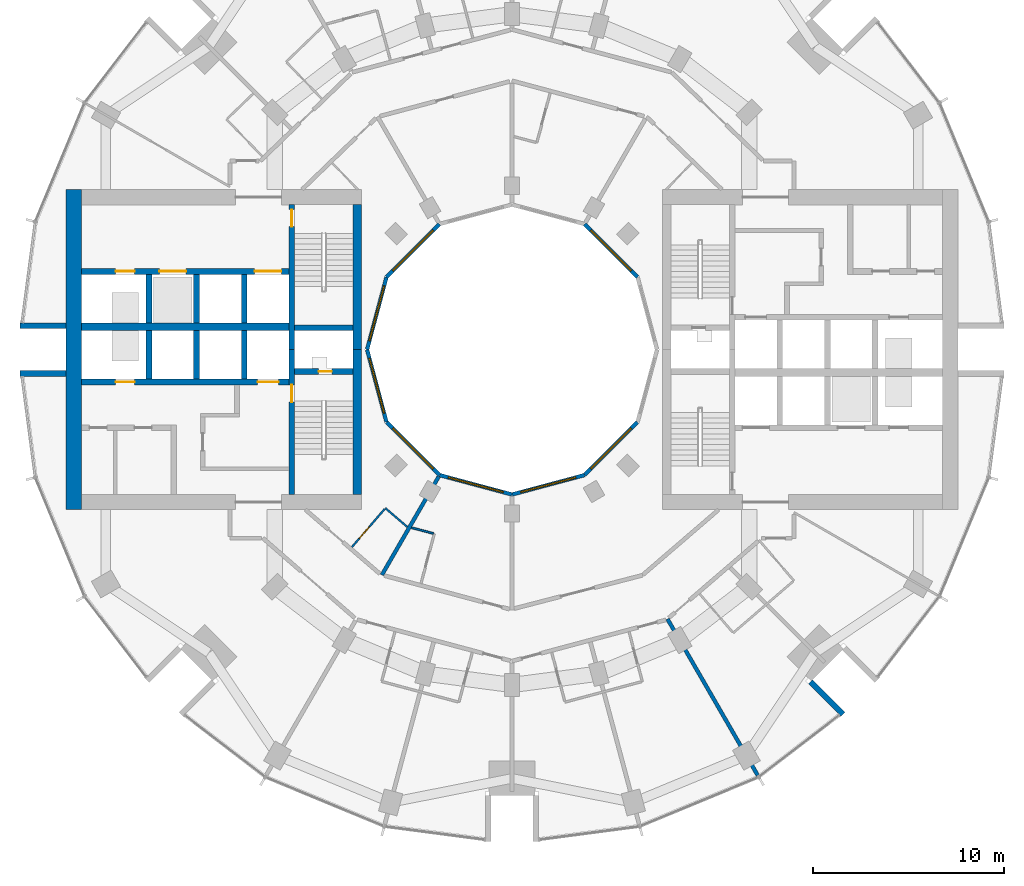
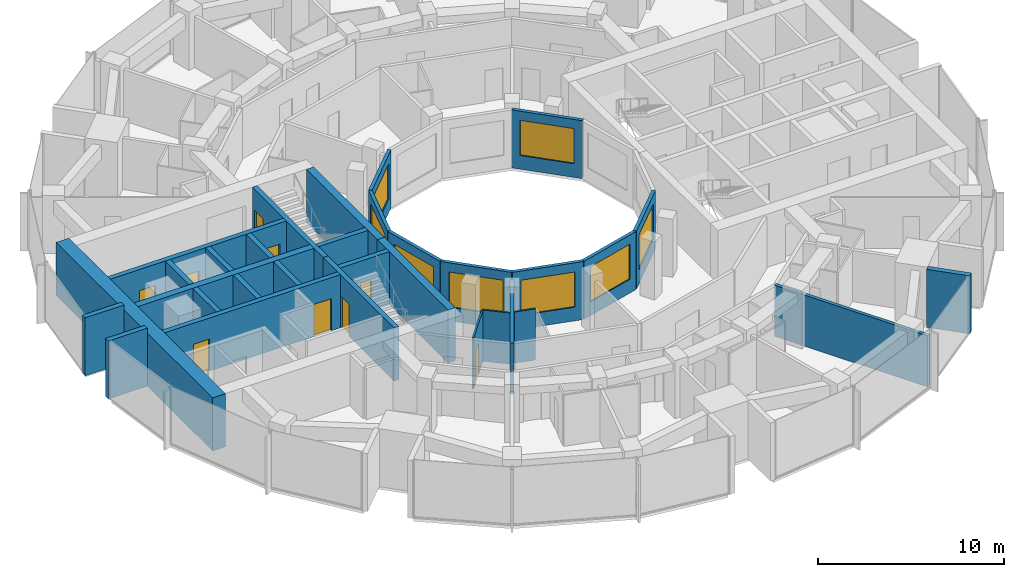
# One storey, part 9 of 15: 32 walls, 9 doors, 8 windows, 17 openings.
"""IFC4 building model written with IfcOpenShell, lengths in metres."""

from ifc_helpers import new_model, si_unit, direction, frame, frame_2d, origin, place, context, subcontext, project, spatial, rectangle, extrude, material, layer, layer_set, type_object, element, fill, save


model = new_model("IFC4")

# Units and contexts
model_context = context("Model", 3, precision=1e-05, world=origin(), true_north=direction((0.0, 1.0)))
body_context = subcontext(model_context, "Body", "Model", "MODEL_VIEW")
ifc_project = project(units=[si_unit("LENGTHUNIT", "METRE"), si_unit("AREAUNIT", "SQUARE_METRE"), si_unit("VOLUMEUNIT", "CUBIC_METRE"), si_unit("PLANEANGLEUNIT", "RADIAN"), si_unit("MASSUNIT", "GRAM", prefix="KILO")], contexts=[model_context])

# Site, building, storey
site_placement = place(None, origin())
site = spatial("IfcSite", under=ifc_project, at=site_placement, CompositionType="ELEMENT")
building_placement = place(site_placement, origin())
building = spatial("IfcBuilding", under=site, at=building_placement, Name="Torre Brocal", CompositionType="ELEMENT")
storey_placement = place(building_placement, frame((0.0, 0.0, 63.0)))
storey = spatial("IfcBuildingStorey", under=building, at=storey_placement, Name="L14", CompositionType="ELEMENT", Elevation=63.0)

# Wall, opening, door
ifc_material_1 = material(Name="Concrete C80", Category="concrete")
ifc_layer_1 = layer(ifc_material_1, 0.300048828125)
ifc_layer_set_1 = layer_set([ifc_layer_1], Name="Concrete C80")
wall_type_1 = type_object("IfcWallType", Name="CORE WALL 300 C80", PredefinedType="SHEAR", material=ifc_layer_set_1)
wall_1_placement = place(storey_placement, frame((68.449951171875, 75.0, 0.0), z_axis=(0.0, 0.0, 1.0), x_axis=(0.0, -1.0, 0.0)))
wall_1 = element("IfcWall", 1, at=wall_1_placement, inside=storey, type_object=wall_type_1, Name="Wall CW300-80", PredefinedType="SHEAR", context=body_context, shape_type="SweptSolid", body=[
    extrude(rectangle(XDim=7.60009765625, YDim=0.300048828125, at=frame_2d((3.800048828125, 0.0))), origin(), (0.0, 0.0, 1.0), 3.47998046875),
])
opening_1_placement = place(wall_1_placement, frame((1.85009765625, 0.0, 0.0)))
opening_1 = element("IfcOpeningElement", 2, at=opening_1_placement, cuts=wall_1, Name="Opening W-D02", PredefinedType="OPENING", context=body_context, shape_type="SweptSolid", body=[
    extrude(rectangle(XDim=0.89990234375, YDim=2.10009765625, at=frame_2d((0.449951171875, 1.050048828125))), frame((0.0, 0.159912109375, 0.0), z_axis=(0.0, -1.0, 0.0), x_axis=(1.0, 0.0, 0.0)), (0.0, 0.0, 1.0), 0.320068359375),
])
ifc_material_2 = material(Name="Steel A653", Category="steel")
door_type_1 = type_object("IfcDoorType", Name="STAIR DOOR FD120 900X2100", OperationType="SINGLE_SWING_RIGHT", PredefinedType="DOOR", material=ifc_material_2)
door_1_placement = place(opening_1_placement, origin())
door_1 = element("IfcDoor", 3, at=door_1_placement, inside=storey, type_object=door_type_1, Name="Door W-D02", OperationType="SINGLE_SWING_LEFT", OverallHeight=2.10009765625, OverallWidth=0.89990234375, PredefinedType="DOOR", context=body_context, shape_type="SweptSolid", body=[
    extrude(rectangle(XDim=0.89990234375, YDim=2.10009765625, at=frame_2d((0.449951171875, 1.050048828125))), frame((0.0, 0.02490234375, 0.0), z_axis=(0.0, -1.0, 0.0), x_axis=(1.0, 0.0, 0.0)), (0.0, 0.0, 1.0), 0.050048828125),
])
fill(opening_1, door_1)

wall_2_placement = place(storey_placement, frame((68.449951171875, 82.60009765625, 0.0), z_axis=(0.0, 0.0, 1.0), x_axis=(0.0, -1.0, 0.0)))
wall_2 = element("IfcWall", 4, at=wall_2_placement, inside=storey, type_object=wall_type_1, Name="Wall CW300-80", PredefinedType="SHEAR", context=body_context, shape_type="SweptSolid", body=[
    extrude(rectangle(XDim=7.60009765625, YDim=0.300048828125, at=frame_2d((3.800048828125, 0.0))), origin(), (0.0, 0.0, 1.0), 3.47998046875),
])
opening_2_placement = place(wall_2_placement, frame((0.25, 0.0, 0.0)))
opening_2 = element("IfcOpeningElement", 5, at=opening_2_placement, cuts=wall_2, Name="Opening W-D03", PredefinedType="OPENING", context=body_context, shape_type="SweptSolid", body=[
    extrude(rectangle(XDim=0.89990234375, YDim=2.10009765625, at=frame_2d((0.449951171875, 1.050048828125))), frame((0.0, 0.159912109375, 0.0), z_axis=(0.0, -1.0, 0.0), x_axis=(1.0, 0.0, 0.0)), (0.0, 0.0, 1.0), 0.320068359375),
])
door_2_placement = place(opening_2_placement, origin())
door_2 = element("IfcDoor", 6, at=door_2_placement, inside=storey, type_object=door_type_1, Name="Door W-D03", OperationType="SINGLE_SWING_LEFT", OverallHeight=2.10009765625, OverallWidth=0.89990234375, PredefinedType="DOOR", context=body_context, shape_type="SweptSolid", body=[
    extrude(rectangle(XDim=0.89990234375, YDim=2.10009765625, at=frame_2d((0.449951171875, 1.050048828125))), frame((0.0, 0.02490234375, 0.0), z_axis=(0.0, -1.0, 0.0), x_axis=(1.0, 0.0, 0.0)), (0.0, 0.0, 1.0), 0.050048828125),
])
fill(opening_2, door_2)

wall_3_placement = place(storey_placement, frame((71.64990234375, 73.85009765625, 0.0), z_axis=(0.0, 0.0, 1.0), x_axis=(-1.0, 0.0, 0.0)))
wall_3 = element("IfcWall", 7, at=wall_3_placement, inside=storey, type_object=wall_type_1, Name="Wall CW300-80", PredefinedType="SHEAR", context=body_context, shape_type="SweptSolid", body=[
    extrude(rectangle(XDim=3.0498046875, YDim=0.300048828125, at=frame_2d((1.52490234375, 0.0))), origin(), (0.0, 0.0, 1.0), 3.47998046875),
])
opening_3_placement = place(wall_3_placement, frame((1.10009765625, 0.0, 0.0)))
opening_3 = element("IfcOpeningElement", 8, at=opening_3_placement, cuts=wall_3, Name="Opening W-D01", PredefinedType="OPENING", context=body_context, shape_type="SweptSolid", body=[
    extrude(rectangle(XDim=0.699951171875, YDim=2.0, at=frame_2d((0.35009765625, 1.0))), frame((0.0, 0.159912109375, 0.0), z_axis=(0.0, -1.0, 0.0), x_axis=(1.0, 0.0, 0.0)), (0.0, 0.0, 1.0), 0.320068359375),
])
ifc_material_3 = material(Name="Steel A653", Category="steel")
door_type_2 = type_object("IfcDoorType", Name="RISER DOOR FD120 700X2000", OperationType="SINGLE_SWING_LEFT", PredefinedType="DOOR", material=ifc_material_3)
door_3_placement = place(opening_3_placement, frame((0.699951171875, 0.0, 0.0), z_axis=(0.0, 0.0, 1.0), x_axis=(-1.0, 0.0, 0.0)))
door_3 = element("IfcDoor", 9, at=door_3_placement, inside=storey, type_object=door_type_2, Name="Door W-D01", OperationType="SINGLE_SWING_RIGHT", OverallHeight=2.0, OverallWidth=0.699951171875, PredefinedType="DOOR", context=body_context, shape_type="SweptSolid", body=[
    extrude(rectangle(XDim=0.699951171875, YDim=2.0, at=frame_2d((0.35009765625, 1.0))), frame((0.0, 0.02490234375, 0.0), z_axis=(0.0, -1.0, 0.0), x_axis=(1.0, 0.0, 0.0)), (0.0, 0.0, 1.0), 0.050048828125),
])
fill(opening_3, door_3)

# Wall
wall_4_placement = place(storey_placement, frame((71.64990234375, 76.14990234375, 0.0), z_axis=(0.0, 0.0, 1.0), x_axis=(-1.0, 0.0, 0.0)))
element("IfcWall", 10, at=wall_4_placement, inside=storey, type_object=wall_type_1, Name="Wall CW300-80", PredefinedType="SHEAR", context=body_context, shape_type="SweptSolid", body=[
    extrude(rectangle(XDim=3.0498046875, YDim=0.300048828125, at=frame_2d((1.52490234375, 0.0))), origin(), (0.0, 0.0, 1.0), 3.47998046875),
])

# Wall, openings, doors
wall_5_placement = place(storey_placement, frame((68.300048828125, 73.300048828125, 0.0), z_axis=(0.0, 0.0, 1.0), x_axis=(-1.0, 0.0, 0.0)))
wall_5 = element("IfcWall", 11, at=wall_5_placement, inside=storey, type_object=wall_type_1, Name="Wall CW300-80", PredefinedType="SHEAR", context=body_context, shape_type="SweptSolid", body=[
    extrude(rectangle(XDim=10.900146484375, YDim=0.300048828125, at=frame_2d((5.4501953125, 0.0))), origin(), (0.0, 0.0, 1.0), 3.47998046875),
])
opening_4_placement = place(wall_5_placement, frame((0.550048828125, 0.0, 0.0)))
opening_4 = element("IfcOpeningElement", 12, at=opening_4_placement, cuts=wall_5, Name="Opening LD", PredefinedType="OPENING", context=body_context, shape_type="SweptSolid", body=[
    extrude(rectangle(XDim=1.10009765625, YDim=2.10009765625, at=frame_2d((0.550048828125, 1.050048828125))), frame((0.0, 0.159912109375, 0.0), z_axis=(0.0, -1.0, 0.0), x_axis=(1.0, 0.0, 0.0)), (0.0, 0.0, 1.0), 0.320068359375),
])
opening_5_placement = place(wall_5_placement, frame((8.10009765625, 0.0, 0.0)))
opening_5 = element("IfcOpeningElement", 13, at=opening_5_placement, cuts=wall_5, Name="Opening LD10", PredefinedType="OPENING", context=body_context, shape_type="SweptSolid", body=[
    extrude(rectangle(XDim=1.0, YDim=2.10009765625, at=frame_2d((0.5, 1.050048828125))), frame((0.0, 0.159912109375, 0.0), z_axis=(0.0, -1.0, 0.0), x_axis=(1.0, 0.0, 0.0)), (0.0, 0.0, 1.0), 0.320068359375),
])
ifc_material_4 = material(Name="Stainless steel AISI 316", Category="steel")
door_type_3 = type_object("IfcDoorType", Name="LIFT LANDING DOOR 1000X2100", OperationType="DOUBLE_DOOR_SLIDING", PredefinedType="DOOR", material=ifc_material_4)
door_4_placement = place(opening_5_placement, origin())
door_4 = element("IfcDoor", 14, at=door_4_placement, inside=storey, type_object=door_type_3, Name="Door LD10", OperationType="DOUBLE_DOOR_SLIDING", OverallHeight=2.10009765625, OverallWidth=1.0, PredefinedType="DOOR", context=body_context, shape_type="SweptSolid", body=[
    extrude(rectangle(XDim=1.0, YDim=2.10009765625, at=frame_2d((0.5, 1.050048828125))), frame((0.0, 0.02490234375, 0.0), z_axis=(0.0, -1.0, 0.0), x_axis=(1.0, 0.0, 0.0)), (0.0, 0.0, 1.0), 0.050048828125),
])
fill(opening_5, door_4)
ifc_material_5 = material(Name="Stainless steel AISI 316", Category="steel")
door_type_4 = type_object("IfcDoorType", Name="LIFT LANDING DOOR 1100X2100", OperationType="DOUBLE_DOOR_SLIDING", PredefinedType="DOOR", material=ifc_material_5)
door_5_placement = place(opening_4_placement, origin())
door_5 = element("IfcDoor", 15, at=door_5_placement, inside=storey, type_object=door_type_4, Name="Door LD", OperationType="DOUBLE_DOOR_SLIDING", OverallHeight=2.10009765625, OverallWidth=1.10009765625, PredefinedType="DOOR", context=body_context, shape_type="SweptSolid", body=[
    extrude(rectangle(XDim=1.10009765625, YDim=2.10009765625, at=frame_2d((0.550048828125, 1.050048828125))), frame((0.0, 0.02490234375, 0.0), z_axis=(0.0, -1.0, 0.0), x_axis=(1.0, 0.0, 0.0)), (0.0, 0.0, 1.0), 0.050048828125),
])
fill(opening_4, door_5)

wall_6_placement = place(storey_placement, frame((68.300048828125, 79.10009765625, 0.0), z_axis=(0.0, 0.0, 1.0), x_axis=(-1.0, 0.0, 0.0)))
wall_6 = element("IfcWall", 16, at=wall_6_placement, inside=storey, type_object=wall_type_1, Name="Wall CW300-80", PredefinedType="SHEAR", context=body_context, shape_type="SweptSolid", body=[
    extrude(rectangle(XDim=10.900146484375, YDim=0.300048828125, at=frame_2d((5.4501953125, 0.0))), origin(), (0.0, 0.0, 1.0), 3.47998046875),
])
opening_6_placement = place(wall_6_placement, frame((0.39990234375, 0.0, 0.0)))
opening_6 = element("IfcOpeningElement", 17, at=opening_6_placement, cuts=wall_6, Name="Opening LD14", PredefinedType="OPENING", context=body_context, shape_type="SweptSolid", body=[
    extrude(rectangle(XDim=1.39990234375, YDim=2.10009765625, at=frame_2d((0.699951171875, 1.050048828125))), frame((0.0, 0.159912109375, 0.0), z_axis=(0.0, -1.0, 0.0), x_axis=(1.0, 0.0, 0.0)), (0.0, 0.0, 1.0), 0.320068359375),
])
opening_7_placement = place(wall_6_placement, frame((5.39990234375, 0.0, 0.0)))
opening_7 = element("IfcOpeningElement", 18, at=opening_7_placement, cuts=wall_6, Name="Opening LD14", PredefinedType="OPENING", context=body_context, shape_type="SweptSolid", body=[
    extrude(rectangle(XDim=1.39990234375, YDim=2.10009765625, at=frame_2d((0.699951171875, 1.050048828125))), frame((0.0, 0.159912109375, 0.0), z_axis=(0.0, -1.0, 0.0), x_axis=(1.0, 0.0, 0.0)), (0.0, 0.0, 1.0), 0.320068359375),
])
opening_8_placement = place(wall_6_placement, frame((8.10009765625, 0.0, 0.0)))
opening_8 = element("IfcOpeningElement", 19, at=opening_8_placement, cuts=wall_6, Name="Opening LD10", PredefinedType="OPENING", context=body_context, shape_type="SweptSolid", body=[
    extrude(rectangle(XDim=1.0, YDim=2.10009765625, at=frame_2d((0.5, 1.050048828125))), frame((0.0, 0.159912109375, 0.0), z_axis=(0.0, -1.0, 0.0), x_axis=(1.0, 0.0, 0.0)), (0.0, 0.0, 1.0), 0.320068359375),
])
door_6_placement = place(opening_8_placement, origin())
door_6 = element("IfcDoor", 20, at=door_6_placement, inside=storey, type_object=door_type_3, Name="Door LD10", OperationType="DOUBLE_DOOR_SLIDING", OverallHeight=2.10009765625, OverallWidth=1.0, PredefinedType="DOOR", context=body_context, shape_type="SweptSolid", body=[
    extrude(rectangle(XDim=1.0, YDim=2.10009765625, at=frame_2d((0.5, 1.050048828125))), frame((0.0, 0.02490234375, 0.0), z_axis=(0.0, -1.0, 0.0), x_axis=(1.0, 0.0, 0.0)), (0.0, 0.0, 1.0), 0.050048828125),
])
fill(opening_8, door_6)
ifc_material_6 = material(Name="Stainless steel AISI 316", Category="steel")
door_type_5 = type_object("IfcDoorType", Name="LIFT LANDING DOOR 1400X2100", OperationType="DOUBLE_DOOR_SLIDING", PredefinedType="DOOR", material=ifc_material_6)
door_7_placement = place(opening_6_placement, origin())
door_7 = element("IfcDoor", 21, at=door_7_placement, inside=storey, type_object=door_type_5, Name="Door LD14", OperationType="DOUBLE_DOOR_SLIDING", OverallHeight=2.10009765625, OverallWidth=1.39990234375, PredefinedType="DOOR", context=body_context, shape_type="SweptSolid", body=[
    extrude(rectangle(XDim=1.39990234375, YDim=2.10009765625, at=frame_2d((0.699951171875, 1.050048828125))), frame((0.0, 0.02490234375, 0.0), z_axis=(0.0, -1.0, 0.0), x_axis=(1.0, 0.0, 0.0)), (0.0, 0.0, 1.0), 0.050048828125),
])
fill(opening_6, door_7)
door_8_placement = place(opening_7_placement, origin())
door_8 = element("IfcDoor", 22, at=door_8_placement, inside=storey, type_object=door_type_5, Name="Door LD14", OperationType="DOUBLE_DOOR_SLIDING", OverallHeight=2.10009765625, OverallWidth=1.39990234375, PredefinedType="DOOR", context=body_context, shape_type="SweptSolid", body=[
    extrude(rectangle(XDim=1.39990234375, YDim=2.10009765625, at=frame_2d((0.699951171875, 1.050048828125))), frame((0.0, 0.02490234375, 0.0), z_axis=(0.0, -1.0, 0.0), x_axis=(1.0, 0.0, 0.0)), (0.0, 0.0, 1.0), 0.050048828125),
])
fill(opening_7, door_8)

# Walls
for number, where, z_axis, x_axis, name in (
    (23, (65.949951171875, 76.0, 0.0), (0.0, 0.0, 1.0), (0.0, -1.0, 0.0), "Wall CW300-80"),
    (24, (63.449951171875, 76.0, 0.0), (0.0, 0.0, 1.0), (0.0, -1.0, 0.0), "Wall CW300-80"),
    (25, (60.949951171875, 76.0, 0.0), (0.0, 0.0, 1.0), (0.0, -1.0, 0.0), "Wall CW300-80"),
    (26, (65.949951171875, 78.949951171875, 0.0), (0.0, 0.0, 1.0), (0.0, -1.0, 0.0), "Wall CW300-80"),
    (27, (63.449951171875, 78.949951171875, 0.0), (0.0, 0.0, 1.0), (0.0, -1.0, 0.0), "Wall CW300-80"),
    (28, (60.949951171875, 78.949951171875, 0.0), (0.0, 0.0, 1.0), (0.0, -1.0, 0.0), "Wall CW300-80"),
):
    element("IfcWall", number, at=place(storey_placement, frame(where, z_axis=z_axis, x_axis=x_axis)), inside=storey, type_object=wall_type_1, Name=name, PredefinedType="SHEAR", context=body_context, shape_type="SweptSolid", body=[
        extrude(rectangle(XDim=2.550048828125, YDim=0.300048828125, at=frame_2d((1.27490234375, 0.0))), origin(), (0.0, 0.0, 1.0), 3.47998046875),
    ])
ifc_material_7 = material(Name="Concrete C80", Category="concrete")
ifc_layer_2 = layer(ifc_material_7, 0.39990234375)
ifc_layer_set_2 = layer_set([ifc_layer_2], Name="Concrete C80")
wall_type_2 = type_object("IfcWallType", Name="CORE WALL 400 C80", PredefinedType="SHEAR", material=ifc_layer_set_2)
wall_7_placement = place(storey_placement, frame((68.300048828125, 76.199951171875, 0.0), z_axis=(0.0, 0.0, 1.0), x_axis=(-1.0, 0.0, 0.0)))
element("IfcWall", 29, at=wall_7_placement, inside=storey, type_object=wall_type_2, Name="Wall CW400-80", PredefinedType="SHEAR", context=body_context, shape_type="SweptSolid", body=[
    extrude(rectangle(XDim=10.900146484375, YDim=0.39990234375, at=frame_2d((5.4501953125, 0.0))), origin(), (0.0, 0.0, 1.0), 3.47998046875),
])
ifc_material_8 = material(Name="Concrete C80", Category="concrete")
ifc_layer_3 = layer(ifc_material_8, 0.449951171875)
ifc_layer_set_3 = layer_set([ifc_layer_3], Name="Concrete C80")
wall_type_3 = type_object("IfcWallType", Name="CORE WALL 450 C80", PredefinedType="SHEAR", material=ifc_layer_set_3)
for number, where, z_axis, x_axis, name in (
    (30, (71.875, 75.0, 0.0), (0.0, 0.0, 1.0), (0.0, -1.0, 0.0), "Wall CW450-80"),
    (31, (71.875, 82.60009765625, 0.0), (0.0, 0.0, 1.0), (0.0, -1.0, 0.0), "Wall CW450-80"),
):
    element("IfcWall", number, at=place(storey_placement, frame(where, z_axis=z_axis, x_axis=x_axis)), inside=storey, type_object=wall_type_3, Name=name, PredefinedType="SHEAR", context=body_context, shape_type="SweptSolid", body=[
        extrude(rectangle(XDim=7.60009765625, YDim=0.449951171875, at=frame_2d((3.800048828125, 0.0))), origin(), (0.0, 0.0, 1.0), 3.47998046875),
    ])
ifc_material_9 = material(Name="Concrete C80", Category="concrete")
ifc_layer_4 = layer(ifc_material_9, 0.800048828125)
ifc_layer_set_4 = layer_set([ifc_layer_4], Name="Concrete C80")
wall_type_4 = type_object("IfcWallType", Name="CORE WALL 800 C80", PredefinedType="SHEAR", material=ifc_layer_set_4)
wall_8_placement = place(storey_placement, frame((57.0, 83.39990234375, 0.0), z_axis=(0.0, 0.0, 1.0), x_axis=(0.0, -1.0, 0.0)))
element("IfcWall", 32, at=wall_8_placement, inside=storey, type_object=wall_type_4, Name="Wall CW800-80", PredefinedType="SHEAR", context=body_context, shape_type="SweptSolid", body=[
    extrude(rectangle(XDim=16.7998046875, YDim=0.800048828125, at=frame_2d((8.39990234375, 0.0))), origin(), (0.0, 0.0, 1.0), 3.47998046875),
])
ifc_material_10 = material(Name="Concrete C80", Category="concrete")
ifc_layer_5 = layer(ifc_material_10, 0.300048828125)
ifc_layer_set_5 = layer_set([ifc_layer_5], Name="Concrete C80")
wall_type_5 = type_object("IfcWallType", Name="NOTCH RETURN WALL 300 C80", PredefinedType="NOTDEFINED", material=ifc_layer_set_5)
for number, where, z_axis, x_axis, name in (
    (33, (56.60009765625, 76.25, 0.0), (0.0, 0.0, 1.0), (-1.0, 0.0, 0.0), "NOTCH RETURN WALL"),
    (34, (56.60009765625, 73.75, 0.0), (0.0, 0.0, 1.0), (-1.0, 0.0, 0.0), "NOTCH RETURN WALL"),
    (35, (95.662353515625, 57.56982421875, 0.0), (0.0, 0.0, 1.0), (0.707106781187, -0.707106781187, 0.0), "NOTCH RETURN WALL"),
):
    element("IfcWall", number, at=place(storey_placement, frame(where, z_axis=z_axis, x_axis=x_axis)), inside=storey, type_object=wall_type_5, Name=name, PredefinedType="NOTDEFINED", context=body_context, shape_type="SweptSolid", body=[
        extrude(rectangle(XDim=2.415771484375, YDim=0.300048828125, at=frame_2d((1.2080078125, 0.0))), origin(), (0.0, 0.0, 1.0), 3.800048828125),
    ])

# Wall, opening, door
ifc_material_11 = material(Name="Gypsum board", Category="Gypsum")
ifc_layer_6 = layer(ifc_material_11, 0.10009765625)
ifc_layer_set_6 = layer_set([ifc_layer_6], Name="Gypsum board")
wall_type_6 = type_object("IfcWallType", Name="PARTITION 100", PredefinedType="PARTITIONING", material=ifc_layer_set_6)
wall_9_placement = place(storey_placement, frame((71.59619140625, 64.634765625, 0.0), z_axis=(0.0, 0.0, 1.0), x_axis=(0.652285007511, 0.757973791748, 0.0)))
wall_9 = element("IfcWall", 36, at=wall_9_placement, inside=storey, type_object=wall_type_6, Name="BATHROOM WALL", PredefinedType="PARTITIONING", context=body_context, shape_type="SweptSolid", body=[
    extrude(rectangle(XDim=2.649658203125, YDim=0.10009765625, at=frame_2d((1.32470703125, 0.0))), origin(), (0.0, 0.0, 1.0), 3.35009765625),
])
opening_9_placement = place(wall_9_placement, frame((0.599609375, 0.0, 0.0)))
opening_9 = element("IfcOpeningElement", 37, at=opening_9_placement, cuts=wall_9, Name="Opening H04-D38", PredefinedType="OPENING", context=body_context, shape_type="SweptSolid", body=[
    extrude(rectangle(XDim=0.800048828125, YDim=2.10009765625, at=frame_2d((0.39990234375, 1.050048828125))), frame((0.0, 0.06005859375, 0.0), z_axis=(0.0, -1.0, 0.0), x_axis=(1.0, 0.0, 0.0)), (0.0, 0.0, 1.0), 0.1201171875),
])
ifc_material_12 = material(Name="Timber", Category="wood")
door_type_6 = type_object("IfcDoorType", Name="BATHROOM DOOR 800X2100", OperationType="SINGLE_SWING_LEFT", PredefinedType="DOOR", material=ifc_material_12)
door_9_placement = place(opening_9_placement, frame((0.800048828125, 0.0, 0.0), z_axis=(0.0, 0.0, 1.0), x_axis=(-1.0, 0.0, 0.0)))
door_9 = element("IfcDoor", 38, at=door_9_placement, inside=storey, type_object=door_type_6, Name="H04-D38", OperationType="SINGLE_SWING_RIGHT", OverallHeight=2.10009765625, OverallWidth=0.800048828125, PredefinedType="DOOR", context=body_context, shape_type="SweptSolid", body=[
    extrude(rectangle(XDim=0.800048828125, YDim=2.10009765625, at=frame_2d((0.39990234375, 1.050048828125))), frame((0.0, 0.02490234375, 0.0), z_axis=(0.0, -1.0, 0.0), x_axis=(1.0, 0.0, 0.0)), (0.0, 0.0, 1.0), 0.050048828125),
])
fill(opening_9, door_9)

# Walls
wall_10_placement = place(storey_placement, frame((73.35693359375, 66.680908203125, 0.0), z_axis=(0.0, 0.0, 1.0), x_axis=(0.758263469747, -0.651948242154, 0.0)))
element("IfcWall", 39, at=wall_10_placement, inside=storey, type_object=wall_type_6, Name="BATHROOM WALL", PredefinedType="PARTITIONING", context=body_context, shape_type="SweptSolid", body=[
    extrude(rectangle(XDim=1.510986328125, YDim=0.10009765625, at=frame_2d((0.75537109375, 0.0))), origin(), (0.0, 0.0, 1.0), 3.35009765625),
])
wall_11_placement = place(storey_placement, frame((74.739013671875, 65.655029296875, 0.0), z_axis=(0.0, 0.0, 1.0), x_axis=(0.96591107063, -0.258874107695, 0.0)))
element("IfcWall", 40, at=wall_11_placement, inside=storey, type_object=wall_type_6, Name="BATHROOM WALL", PredefinedType="PARTITIONING", context=body_context, shape_type="SweptSolid", body=[
    extrude(rectangle(XDim=1.178955078125, YDim=0.10009765625, at=frame_2d((0.58935546875, 0.0))), origin(), (0.0, 0.0, 1.0), 3.35009765625),
])
ifc_material_13 = material(Name="Gypsum board", Category="Gypsum")
ifc_layer_7 = layer(ifc_material_13, 0.199951171875)
ifc_layer_set_7 = layer_set([ifc_layer_7], Name="Gypsum board")
wall_type_7 = type_object("IfcWallType", Name="PARTITION 200 EI60", PredefinedType="PARTITIONING", material=ifc_layer_set_7)
wall_12_placement = place(storey_placement, frame((73.173583984375, 63.17578125, 0.0), z_axis=(0.0, 0.0, 1.0), x_axis=(0.500257106344, 0.865876912472, 0.0)))
element("IfcWall", 41, at=wall_12_placement, inside=storey, type_object=wall_type_7, Name="BATHROOM WALL", PredefinedType="PARTITIONING", context=body_context, shape_type="SweptSolid", body=[
    extrude(rectangle(XDim=5.954833984375, YDim=0.199951171875, at=frame_2d((2.9775390625, 0.0))), origin(), (0.0, 0.0, 1.0), 3.35009765625),
])
wall_13_placement = place(storey_placement, frame((88.1591796875, 60.86279296875, 0.0), z_axis=(0.0, 0.0, 1.0), x_axis=(0.499935840196, -0.866062443296, 0.0)))
element("IfcWall", 42, at=wall_13_placement, inside=storey, type_object=wall_type_7, Name="PARTY PARTITION", PredefinedType="PARTITIONING", context=body_context, shape_type="SweptSolid", body=[
    extrude(rectangle(XDim=9.474853515625, YDim=0.199951171875, at=frame_2d((4.7373046875, 0.0))), origin(), (0.0, 0.0, 1.0), 3.35009765625),
])

# Wall, opening, window
ifc_material_14 = material(Name="Concrete C40", Category="concrete")
ifc_layer_8 = layer(ifc_material_14, 0.199951171875)
ifc_layer_set_8 = layer_set([ifc_layer_8], Name="Concrete C40")
wall_type_8 = type_object("IfcWallType", Name="WELL FACADE WALL 200", PredefinedType="NOTDEFINED", material=ifc_layer_set_8)
wall_14_placement = place(storey_placement, frame((86.5849609375, 78.8017578125, 0.0), z_axis=(0.0, 0.0, 1.0), x_axis=(-0.707106781187, 0.707106781187, 0.0)))
wall_14 = element("IfcWall", 43, at=wall_14_placement, inside=storey, type_object=wall_type_8, Name="WELL FACADE WALL", PredefinedType="NOTDEFINED", context=body_context, shape_type="SweptSolid", body=[
    extrude(rectangle(XDim=3.93603515625, YDim=0.199951171875, at=frame_2d((1.968017578125, 0.0))), origin(), (0.0, 0.0, 1.0), 3.800048828125),
])
opening_10_placement = place(wall_14_placement, frame((0.468017578125, 0.0, 0.89990234375)))
opening_10 = element("IfcOpeningElement", 44, at=opening_10_placement, cuts=wall_14, Name="Opening W1", PredefinedType="OPENING", context=body_context, shape_type="SweptSolid", body=[
    extrude(rectangle(XDim=3.0, YDim=2.300048828125, at=frame_2d((1.5, 1.14990234375))), frame((0.0, 0.10986328125, 0.0), z_axis=(0.0, -1.0, 0.0), x_axis=(1.0, 0.0, 0.0)), (0.0, 0.0, 1.0), 0.219970703125),
])
ifc_material_15 = material(Name="Aluminium and glass", Category="aluminium")
window_type = type_object("IfcWindowType", Name="WELL WINDOW 3000X2300", PartitioningType="SINGLE_PANEL", PredefinedType="WINDOW", material=ifc_material_15)
window_1_placement = place(opening_10_placement, origin())
window_1 = element("IfcWindow", 45, at=window_1_placement, inside=storey, type_object=window_type, Name="WELL WINDOW 3000X2300", OverallHeight=2.300048828125, OverallWidth=3.0, PartitioningType="SINGLE_PANEL", PredefinedType="WINDOW", context=body_context, shape_type="SweptSolid", body=[
    extrude(rectangle(XDim=3.0, YDim=2.300048828125, at=frame_2d((1.5, 1.14990234375))), frame((0.0, 0.030029296875, 0.0), z_axis=(0.0, -1.0, 0.0), x_axis=(1.0, 0.0, 0.0)), (0.0, 0.0, 1.0), 0.06005859375),
])
fill(opening_10, window_1)

wall_15_placement = place(storey_placement, frame((76.1982421875, 81.5849609375, 0.0), z_axis=(0.0, 0.0, 1.0), x_axis=(-0.707106781187, -0.707106781187, 0.0)))
wall_15 = element("IfcWall", 46, at=wall_15_placement, inside=storey, type_object=wall_type_8, Name="WELL FACADE WALL", PredefinedType="NOTDEFINED", context=body_context, shape_type="SweptSolid", body=[
    extrude(rectangle(XDim=3.93603515625, YDim=0.199951171875, at=frame_2d((1.968017578125, 0.0))), origin(), (0.0, 0.0, 1.0), 3.800048828125),
])
opening_11_placement = place(wall_15_placement, frame((0.468017578125, 0.0, 0.89990234375)))
opening_11 = element("IfcOpeningElement", 47, at=opening_11_placement, cuts=wall_15, Name="Opening W1", PredefinedType="OPENING", context=body_context, shape_type="SweptSolid", body=[
    extrude(rectangle(XDim=3.0, YDim=2.300048828125, at=frame_2d((1.5, 1.14990234375))), frame((0.0, 0.10986328125, 0.0), z_axis=(0.0, -1.0, 0.0), x_axis=(1.0, 0.0, 0.0)), (0.0, 0.0, 1.0), 0.219970703125),
])
window_2_placement = place(opening_11_placement, origin())
window_2 = element("IfcWindow", 48, at=window_2_placement, inside=storey, type_object=window_type, Name="WELL WINDOW 3000X2300", OverallHeight=2.300048828125, OverallWidth=3.0, PartitioningType="SINGLE_PANEL", PredefinedType="WINDOW", context=body_context, shape_type="SweptSolid", body=[
    extrude(rectangle(XDim=3.0, YDim=2.300048828125, at=frame_2d((1.5, 1.14990234375))), frame((0.0, 0.030029296875, 0.0), z_axis=(0.0, -1.0, 0.0), x_axis=(1.0, 0.0, 0.0)), (0.0, 0.0, 1.0), 0.06005859375),
])
fill(opening_11, window_2)

wall_16_placement = place(storey_placement, frame((73.4150390625, 78.8017578125, 0.0), z_axis=(0.0, 0.0, 1.0), x_axis=(-0.258789828301, -0.965933654434, 0.0)))
wall_16 = element("IfcWall", 49, at=wall_16_placement, inside=storey, type_object=wall_type_8, Name="WELL FACADE WALL", PredefinedType="NOTDEFINED", context=body_context, shape_type="SweptSolid", body=[
    extrude(rectangle(XDim=3.935791015625, YDim=0.199951171875, at=frame_2d((1.9677734375, 0.0))), origin(), (0.0, 0.0, 1.0), 3.800048828125),
])
opening_12_placement = place(wall_16_placement, frame((0.468017578125, 0.0, 0.89990234375)))
opening_12 = element("IfcOpeningElement", 50, at=opening_12_placement, cuts=wall_16, Name="Opening W1", PredefinedType="OPENING", context=body_context, shape_type="SweptSolid", body=[
    extrude(rectangle(XDim=3.0, YDim=2.300048828125, at=frame_2d((1.5, 1.14990234375))), frame((0.0, 0.10986328125, 0.0), z_axis=(0.0, -1.0, 0.0), x_axis=(1.0, 0.0, 0.0)), (0.0, 0.0, 1.0), 0.219970703125),
])
window_3_placement = place(opening_12_placement, origin())
window_3 = element("IfcWindow", 51, at=window_3_placement, inside=storey, type_object=window_type, Name="WELL WINDOW 3000X2300", OverallHeight=2.300048828125, OverallWidth=3.0, PartitioningType="SINGLE_PANEL", PredefinedType="WINDOW", context=body_context, shape_type="SweptSolid", body=[
    extrude(rectangle(XDim=3.0, YDim=2.300048828125, at=frame_2d((1.5, 1.14990234375))), frame((0.0, 0.030029296875, 0.0), z_axis=(0.0, -1.0, 0.0), x_axis=(1.0, 0.0, 0.0)), (0.0, 0.0, 1.0), 0.06005859375),
])
fill(opening_12, window_3)

wall_17_placement = place(storey_placement, frame((72.396484375, 75.0, 0.0), z_axis=(0.0, 0.0, 1.0), x_axis=(0.258789828301, -0.965933654434, 0.0)))
wall_17 = element("IfcWall", 52, at=wall_17_placement, inside=storey, type_object=wall_type_8, Name="WELL FACADE WALL", PredefinedType="NOTDEFINED", context=body_context, shape_type="SweptSolid", body=[
    extrude(rectangle(XDim=3.935791015625, YDim=0.199951171875, at=frame_2d((1.9677734375, 0.0))), origin(), (0.0, 0.0, 1.0), 3.800048828125),
])
opening_13_placement = place(wall_17_placement, frame((0.468017578125, 0.0, 0.89990234375)))
opening_13 = element("IfcOpeningElement", 53, at=opening_13_placement, cuts=wall_17, Name="Opening W1", PredefinedType="OPENING", context=body_context, shape_type="SweptSolid", body=[
    extrude(rectangle(XDim=3.0, YDim=2.300048828125, at=frame_2d((1.5, 1.14990234375))), frame((0.0, 0.10986328125, 0.0), z_axis=(0.0, -1.0, 0.0), x_axis=(1.0, 0.0, 0.0)), (0.0, 0.0, 1.0), 0.219970703125),
])
window_4_placement = place(opening_13_placement, origin())
window_4 = element("IfcWindow", 54, at=window_4_placement, inside=storey, type_object=window_type, Name="WELL WINDOW 3000X2300", OverallHeight=2.300048828125, OverallWidth=3.0, PartitioningType="SINGLE_PANEL", PredefinedType="WINDOW", context=body_context, shape_type="SweptSolid", body=[
    extrude(rectangle(XDim=3.0, YDim=2.300048828125, at=frame_2d((1.5, 1.14990234375))), frame((0.0, 0.030029296875, 0.0), z_axis=(0.0, -1.0, 0.0), x_axis=(1.0, 0.0, 0.0)), (0.0, 0.0, 1.0), 0.06005859375),
])
fill(opening_13, window_4)

wall_18_placement = place(storey_placement, frame((73.4150390625, 71.1982421875, 0.0), z_axis=(0.0, 0.0, 1.0), x_axis=(0.707106781187, -0.707106781187, 0.0)))
wall_18 = element("IfcWall", 55, at=wall_18_placement, inside=storey, type_object=wall_type_8, Name="WELL FACADE WALL", PredefinedType="NOTDEFINED", context=body_context, shape_type="SweptSolid", body=[
    extrude(rectangle(XDim=3.93603515625, YDim=0.199951171875, at=frame_2d((1.968017578125, 0.0))), origin(), (0.0, 0.0, 1.0), 3.800048828125),
])
opening_14_placement = place(wall_18_placement, frame((0.468017578125, 0.0, 0.89990234375)))
opening_14 = element("IfcOpeningElement", 56, at=opening_14_placement, cuts=wall_18, Name="Opening W1", PredefinedType="OPENING", context=body_context, shape_type="SweptSolid", body=[
    extrude(rectangle(XDim=3.0, YDim=2.300048828125, at=frame_2d((1.5, 1.14990234375))), frame((0.0, 0.10986328125, 0.0), z_axis=(0.0, -1.0, 0.0), x_axis=(1.0, 0.0, 0.0)), (0.0, 0.0, 1.0), 0.219970703125),
])
window_5_placement = place(opening_14_placement, origin())
window_5 = element("IfcWindow", 57, at=window_5_placement, inside=storey, type_object=window_type, Name="WELL WINDOW 3000X2300", OverallHeight=2.300048828125, OverallWidth=3.0, PartitioningType="SINGLE_PANEL", PredefinedType="WINDOW", context=body_context, shape_type="SweptSolid", body=[
    extrude(rectangle(XDim=3.0, YDim=2.300048828125, at=frame_2d((1.5, 1.14990234375))), frame((0.0, 0.030029296875, 0.0), z_axis=(0.0, -1.0, 0.0), x_axis=(1.0, 0.0, 0.0)), (0.0, 0.0, 1.0), 0.06005859375),
])
fill(opening_14, window_5)

wall_19_placement = place(storey_placement, frame((76.1982421875, 68.4150390625, 0.0), z_axis=(0.0, 0.0, 1.0), x_axis=(0.965933654434, -0.258789828301, 0.0)))
wall_19 = element("IfcWall", 58, at=wall_19_placement, inside=storey, type_object=wall_type_8, Name="WELL FACADE WALL", PredefinedType="NOTDEFINED", context=body_context, shape_type="SweptSolid", body=[
    extrude(rectangle(XDim=3.935791015625, YDim=0.199951171875, at=frame_2d((1.9677734375, 0.0))), origin(), (0.0, 0.0, 1.0), 3.800048828125),
])
opening_15_placement = place(wall_19_placement, frame((0.468017578125, 0.0, 0.89990234375)))
opening_15 = element("IfcOpeningElement", 59, at=opening_15_placement, cuts=wall_19, Name="Opening W1", PredefinedType="OPENING", context=body_context, shape_type="SweptSolid", body=[
    extrude(rectangle(XDim=3.0, YDim=2.300048828125, at=frame_2d((1.5, 1.14990234375))), frame((0.0, 0.10986328125, 0.0), z_axis=(0.0, -1.0, 0.0), x_axis=(1.0, 0.0, 0.0)), (0.0, 0.0, 1.0), 0.219970703125),
])
window_6_placement = place(opening_15_placement, origin())
window_6 = element("IfcWindow", 60, at=window_6_placement, inside=storey, type_object=window_type, Name="WELL WINDOW 3000X2300", OverallHeight=2.300048828125, OverallWidth=3.0, PartitioningType="SINGLE_PANEL", PredefinedType="WINDOW", context=body_context, shape_type="SweptSolid", body=[
    extrude(rectangle(XDim=3.0, YDim=2.300048828125, at=frame_2d((1.5, 1.14990234375))), frame((0.0, 0.030029296875, 0.0), z_axis=(0.0, -1.0, 0.0), x_axis=(1.0, 0.0, 0.0)), (0.0, 0.0, 1.0), 0.06005859375),
])
fill(opening_15, window_6)

wall_20_placement = place(storey_placement, frame((80.0, 67.396484375, 0.0), z_axis=(0.0, 0.0, 1.0), x_axis=(0.965933654434, 0.258789828301, 0.0)))
wall_20 = element("IfcWall", 61, at=wall_20_placement, inside=storey, type_object=wall_type_8, Name="WELL FACADE WALL", PredefinedType="NOTDEFINED", context=body_context, shape_type="SweptSolid", body=[
    extrude(rectangle(XDim=3.935791015625, YDim=0.199951171875, at=frame_2d((1.9677734375, 0.0))), origin(), (0.0, 0.0, 1.0), 3.800048828125),
])
opening_16_placement = place(wall_20_placement, frame((0.468017578125, 0.0, 0.89990234375)))
opening_16 = element("IfcOpeningElement", 62, at=opening_16_placement, cuts=wall_20, Name="Opening W1", PredefinedType="OPENING", context=body_context, shape_type="SweptSolid", body=[
    extrude(rectangle(XDim=3.0, YDim=2.300048828125, at=frame_2d((1.5, 1.14990234375))), frame((0.0, 0.10986328125, 0.0), z_axis=(0.0, -1.0, 0.0), x_axis=(1.0, 0.0, 0.0)), (0.0, 0.0, 1.0), 0.219970703125),
])
window_7_placement = place(opening_16_placement, origin())
window_7 = element("IfcWindow", 63, at=window_7_placement, inside=storey, type_object=window_type, Name="WELL WINDOW 3000X2300", OverallHeight=2.300048828125, OverallWidth=3.0, PartitioningType="SINGLE_PANEL", PredefinedType="WINDOW", context=body_context, shape_type="SweptSolid", body=[
    extrude(rectangle(XDim=3.0, YDim=2.300048828125, at=frame_2d((1.5, 1.14990234375))), frame((0.0, 0.030029296875, 0.0), z_axis=(0.0, -1.0, 0.0), x_axis=(1.0, 0.0, 0.0)), (0.0, 0.0, 1.0), 0.06005859375),
])
fill(opening_16, window_7)

wall_21_placement = place(storey_placement, frame((83.8017578125, 68.4150390625, 0.0), z_axis=(0.0, 0.0, 1.0), x_axis=(0.707106781187, 0.707106781187, 0.0)))
wall_21 = element("IfcWall", 64, at=wall_21_placement, inside=storey, type_object=wall_type_8, Name="WELL FACADE WALL", PredefinedType="NOTDEFINED", context=body_context, shape_type="SweptSolid", body=[
    extrude(rectangle(XDim=3.93603515625, YDim=0.199951171875, at=frame_2d((1.968017578125, 0.0))), origin(), (0.0, 0.0, 1.0), 3.800048828125),
])
opening_17_placement = place(wall_21_placement, frame((0.468017578125, 0.0, 0.89990234375)))
opening_17 = element("IfcOpeningElement", 65, at=opening_17_placement, cuts=wall_21, Name="Opening W1", PredefinedType="OPENING", context=body_context, shape_type="SweptSolid", body=[
    extrude(rectangle(XDim=3.0, YDim=2.300048828125, at=frame_2d((1.5, 1.14990234375))), frame((0.0, 0.10986328125, 0.0), z_axis=(0.0, -1.0, 0.0), x_axis=(1.0, 0.0, 0.0)), (0.0, 0.0, 1.0), 0.219970703125),
])
window_8_placement = place(opening_17_placement, origin())
window_8 = element("IfcWindow", 66, at=window_8_placement, inside=storey, type_object=window_type, Name="WELL WINDOW 3000X2300", OverallHeight=2.300048828125, OverallWidth=3.0, PartitioningType="SINGLE_PANEL", PredefinedType="WINDOW", context=body_context, shape_type="SweptSolid", body=[
    extrude(rectangle(XDim=3.0, YDim=2.300048828125, at=frame_2d((1.5, 1.14990234375))), frame((0.0, 0.030029296875, 0.0), z_axis=(0.0, -1.0, 0.0), x_axis=(1.0, 0.0, 0.0)), (0.0, 0.0, 1.0), 0.06005859375),
])
fill(opening_17, window_8)

save(model, "model.ifc")
